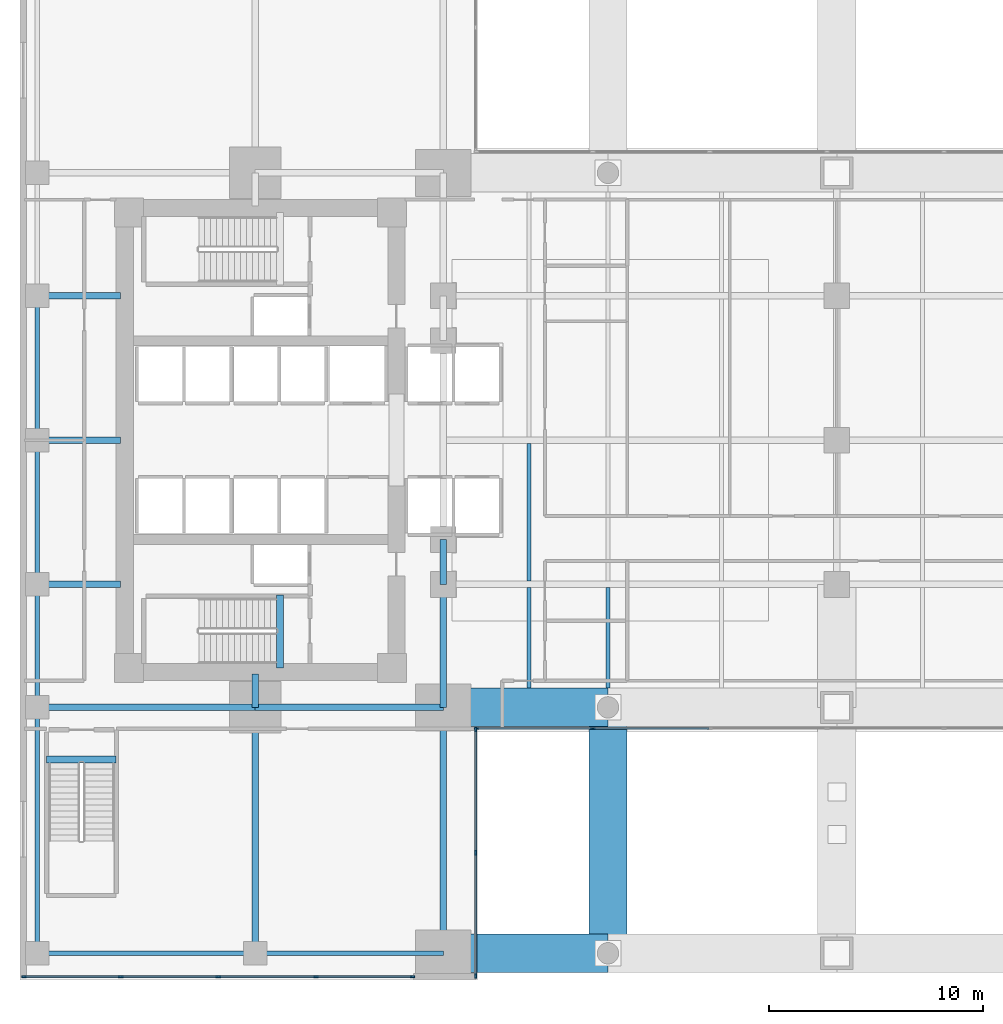
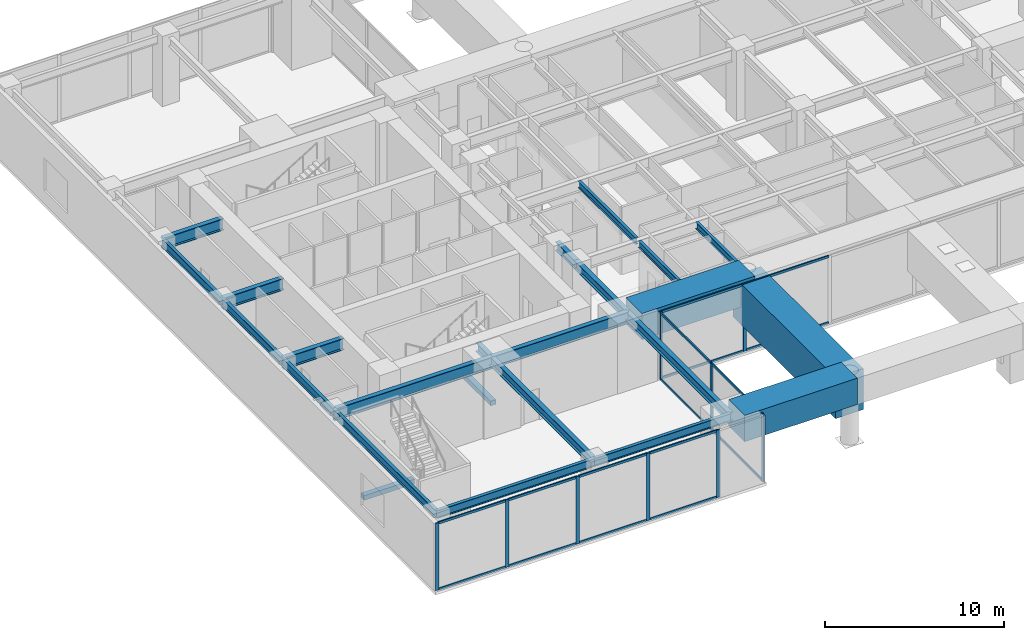
# One storey, part 2 of 13: 26 members, 24 beams, 3 elements without a shape of their own.
"""IFC4 building model written with IfcOpenShell, lengths in metres."""

from ifc_helpers import new_model, si_unit, direction, frame, origin, origin_2d, place, context, subcontext, project, spatial, rectangle, i_section, extrude, material, layer, layer_set, material_profile, profile_set, type_object, element, aggregate, save


model = new_model("IFC4")

# Units and contexts
model_context = context("Model", 3, precision=1e-05, world=origin(), true_north=direction((0.0, 1.0)))
body_context = subcontext(model_context, "Body", "Model", "MODEL_VIEW")
ifc_project = project(units=[si_unit("LENGTHUNIT", "METRE"), si_unit("AREAUNIT", "SQUARE_METRE"), si_unit("VOLUMEUNIT", "CUBIC_METRE"), si_unit("PLANEANGLEUNIT", "RADIAN"), si_unit("MASSUNIT", "GRAM", prefix="KILO")], contexts=[model_context])

# Site, building, storey
site_placement = place(None, origin())
site = spatial("IfcSite", under=ifc_project, at=site_placement, CompositionType="ELEMENT")
building_placement = place(site_placement, origin())
building = spatial("IfcBuilding", under=site, at=building_placement, Name="Kinhvarn Gate Tower", CompositionType="ELEMENT")
storey_placement = place(building_placement, frame((0.0, 0.0, 15.60009765625)))
storey = spatial("IfcBuildingStorey", under=building, at=storey_placement, Name="L03", CompositionType="ELEMENT", Elevation=15.60009765625)

# Beams
ifc_material_1 = material(Name="Concrete C50/60", Category="concrete")
ifc_material_profile_1 = material_profile(ifc_material_1, rectangle(XDim=0.340087890625, YDim=0.320068359375, at=origin_2d()), Name="RC 340x320")
ifc_profile_set_1 = profile_set([ifc_material_profile_1], Name="Concrete C50/60")
beam_type_1 = type_object("IfcBeamType", Name="BM-LND-500", PredefinedType="BEAM", material=ifc_profile_set_1)
beam_1_placement = place(storey_placement, frame((12.1650390625, 14.60009765625, -0.16015625), z_axis=(0.0, 1.0, 0.0), x_axis=(-1.0, 0.0, 0.0)))
element("IfcBeam", 1, at=beam_1_placement, inside=storey, type_object=beam_type_1, Name="Stair ST1 Landing Nosing Beam (L03)", PredefinedType="BEAM", context=body_context, shape_type="SweptSolid", body=[
    extrude(rectangle(XDim=0.340087890625, YDim=0.320068359375, at=origin_2d()), origin(), (0.0, 0.0, 1.0), 3.39990234375),
])
beam_2_placement = place(storey_placement, frame((1.25, 10.31494140625, -0.16015625), z_axis=(1.0, 0.0, 0.0), x_axis=(0.0, 1.0, 0.0)))
element("IfcBeam", 2, at=beam_2_placement, inside=storey, type_object=beam_type_1, Name="Stair ST3 Landing Nosing Beam (L03)", PredefinedType="BEAM", context=body_context, shape_type="SweptSolid", body=[
    extrude(rectangle(XDim=0.340087890625, YDim=0.320068359375, at=origin_2d()), origin(), (0.0, 0.0, 1.0), 3.25),
])
ifc_material_2 = material(Name="Concrete C70/85", Category="concrete")
ifc_material_profile_2 = material_profile(ifc_material_2, rectangle(XDim=1.800048828125, YDim=1.800048828125, at=origin_2d()), Name="RC 1800x1800")
ifc_profile_set_2 = profile_set([ifc_material_profile_2], Name="Concrete C70/85")
beam_type_2 = type_object("IfcBeamType", Name="BM-TG-1800SQ", PredefinedType="BEAM", material=ifc_profile_set_2)
for number, where, z_axis, x_axis, name in (
    (3, (20.199951171875, 1.25, 3.89990234375), (1.0, 0.0, 0.0), (0.0, 1.0, 0.0), "Arch Box Transfer Girder TG-01B-1-1"),
    (4, (20.199951171875, 12.75, 3.89990234375), (1.0, 0.0, 0.0), (0.0, 1.0, 0.0), "Arch Box Transfer Girder TG-01B-2-1"),
):
    element("IfcBeam", number, at=place(storey_placement, frame(where, z_axis=z_axis, x_axis=x_axis)), inside=storey, type_object=beam_type_2, Name=name, PredefinedType="BEAM", context=body_context, shape_type="SweptSolid", body=[
        extrude(rectangle(XDim=1.800048828125, YDim=1.800048828125, at=origin_2d()), origin(), (0.0, 0.0, 1.0), 7.300048828125),
    ])
ifc_material_profile_3 = material_profile(ifc_material_2, rectangle(XDim=1.800048828125, YDim=2.800048828125, at=origin_2d()), Name="RC 1800x2800")
ifc_profile_set_3 = profile_set([ifc_material_profile_3], Name="Concrete C70/85")
beam_type_3 = type_object("IfcBeamType", Name="BM-TG-2800", PredefinedType="BEAM", material=ifc_profile_set_3)
beam_3_placement = place(storey_placement, frame((27.5, 1.25, 3.199951171875), z_axis=(0.0, 1.0, 0.0), x_axis=(-1.0, 0.0, 0.0)))
element("IfcBeam", 5, at=beam_3_placement, inside=storey, type_object=beam_type_3, Name="Primary Transverse Arch Transfer Girder TG-01-X27-1", PredefinedType="BEAM", context=body_context, shape_type="SweptSolid", body=[
    extrude(rectangle(XDim=1.800048828125, YDim=2.800048828125, at=origin_2d()), origin(), (0.0, 0.0, 1.0), 11.5),
])

# Curtain wall, members
ifc_material_3 = material(Name="Anodised aluminium AW-6063", Category="aluminium")
ifc_layer = layer(ifc_material_3, 0.219970703125)
ifc_layer_set = layer_set([ifc_layer], Name="Anodised aluminium AW-6063")
curtain_wall_type = type_object("IfcCurtainWallType", Name="CW-SYS-1", PredefinedType="NOTDEFINED", material=ifc_layer_set)
curtain_wall_1_placement = place(storey_placement, origin())
curtain_wall_1 = element("IfcCurtainWall", 6, at=curtain_wall_1_placement, inside=storey, type_object=curtain_wall_type, Name="Curtain Wall CW1 (L03)", PredefinedType="NOTDEFINED")
ifc_material_profile_4 = material_profile(ifc_material_3, rectangle(XDim=0.080078125, YDim=0.219970703125, at=origin_2d()), Name="ALU 80x220")
ifc_profile_set_4 = profile_set([ifc_material_profile_4], Name="Anodised aluminium AW-6063")
member_type_1 = type_object("IfcMemberType", Name="CW-MUL-220", PredefinedType="MULLION", material=ifc_profile_set_4)
member_1_placement = place(storey_placement, frame((0.18994140625, 0.14990234375, 0.0), z_axis=(0.0, 0.0, 1.0), x_axis=(0.0, 1.0, 0.0)))
member_1 = element("IfcMember", 7, at=member_1_placement, type_object=member_type_1, Name="CW1 mullion 1", PredefinedType="MULLION", context=body_context, shape_type="SweptSolid", body=[
    extrude(rectangle(XDim=0.080078125, YDim=0.219970703125, at=origin_2d()), origin(), (0.0, 0.0, 1.0), 4.599853515625),
])
member_2_placement = place(storey_placement, frame((4.71240234375, 0.14990234375, 0.0), z_axis=(0.0, 0.0, 1.0), x_axis=(0.0, 1.0, 0.0)))
member_2 = element("IfcMember", 8, at=member_2_placement, type_object=member_type_1, Name="CW1 mullion 2", PredefinedType="MULLION", context=body_context, shape_type="SweptSolid", body=[
    extrude(rectangle(XDim=0.080078125, YDim=0.219970703125, at=origin_2d()), origin(), (0.0, 0.0, 1.0), 4.599853515625),
])
member_3_placement = place(storey_placement, frame((9.27490234375, 0.14990234375, 0.0), z_axis=(0.0, 0.0, 1.0), x_axis=(0.0, 1.0, 0.0)))
member_3 = element("IfcMember", 9, at=member_3_placement, type_object=member_type_1, Name="CW1 mullion 3", PredefinedType="MULLION", context=body_context, shape_type="SweptSolid", body=[
    extrude(rectangle(XDim=0.080078125, YDim=0.219970703125, at=origin_2d()), origin(), (0.0, 0.0, 1.0), 4.599853515625),
])
member_4_placement = place(storey_placement, frame((13.83740234375, 0.14990234375, 0.0), z_axis=(0.0, 0.0, 1.0), x_axis=(0.0, 1.0, 0.0)))
member_4 = element("IfcMember", 10, at=member_4_placement, type_object=member_type_1, Name="CW1 mullion 4", PredefinedType="MULLION", context=body_context, shape_type="SweptSolid", body=[
    extrude(rectangle(XDim=0.080078125, YDim=0.219970703125, at=origin_2d()), origin(), (0.0, 0.0, 1.0), 4.599853515625),
])
member_5_placement = place(storey_placement, frame((18.360107421875, 0.14990234375, 0.0), z_axis=(0.0, 0.0, 1.0), x_axis=(0.0, 1.0, 0.0)))
member_5 = element("IfcMember", 11, at=member_5_placement, type_object=member_type_1, Name="CW1 mullion 5", PredefinedType="MULLION", context=body_context, shape_type="SweptSolid", body=[
    extrude(rectangle(XDim=0.080078125, YDim=0.219970703125, at=origin_2d()), origin(), (0.0, 0.0, 1.0), 4.599853515625),
])

curtain_wall_2_placement = place(storey_placement, origin())
curtain_wall_2 = element("IfcCurtainWall", 12, at=curtain_wall_2_placement, inside=storey, type_object=curtain_wall_type, Name="Curtain Wall CW1 (L03)", PredefinedType="NOTDEFINED")
member_6_placement = place(storey_placement, frame((21.31005859375, 0.18994140625, 0.0), z_axis=(0.0, 0.0, 1.0), x_axis=(-1.0, 0.0, 0.0)))
member_6 = element("IfcMember", 13, at=member_6_placement, type_object=member_type_1, Name="CW1 mullion 1", PredefinedType="MULLION", context=body_context, shape_type="SweptSolid", body=[
    extrude(rectangle(XDim=0.080078125, YDim=0.219970703125, at=origin_2d()), origin(), (0.0, 0.0, 1.0), 4.599853515625),
])
member_7_placement = place(storey_placement, frame((21.31005859375, 5.955078125, 0.0), z_axis=(0.0, 0.0, 1.0), x_axis=(-1.0, 0.0, 0.0)))
member_7 = element("IfcMember", 14, at=member_7_placement, type_object=member_type_1, Name="CW1 mullion 2", PredefinedType="MULLION", context=body_context, shape_type="SweptSolid", body=[
    extrude(rectangle(XDim=0.080078125, YDim=0.219970703125, at=origin_2d()), origin(), (0.0, 0.0, 1.0), 4.599853515625),
])
member_8_placement = place(storey_placement, frame((21.31005859375, 11.719970703125, 0.0), z_axis=(0.0, 0.0, 1.0), x_axis=(-1.0, 0.0, 0.0)))
member_8 = element("IfcMember", 15, at=member_8_placement, type_object=member_type_1, Name="CW1 mullion 3", PredefinedType="MULLION", context=body_context, shape_type="SweptSolid", body=[
    extrude(rectangle(XDim=0.080078125, YDim=0.219970703125, at=origin_2d()), origin(), (0.0, 0.0, 1.0), 4.599853515625),
])

curtain_wall_3_placement = place(storey_placement, origin())
curtain_wall_3 = element("IfcCurtainWall", 16, at=curtain_wall_3_placement, inside=storey, type_object=curtain_wall_type, Name="Curtain Wall CW1 (L03)", PredefinedType="NOTDEFINED")
member_9_placement = place(storey_placement, frame((21.35009765625, 11.760009765625, 0.0), z_axis=(0.0, 0.0, 1.0), x_axis=(0.0, 1.0, 0.0)))
member_9 = element("IfcMember", 17, at=member_9_placement, type_object=member_type_1, Name="CW1 mullion 1", PredefinedType="MULLION", context=body_context, shape_type="SweptSolid", body=[
    extrude(rectangle(XDim=0.080078125, YDim=0.219970703125, at=origin_2d()), origin(), (0.0, 0.0, 1.0), 4.599853515625),
])
member_10_placement = place(storey_placement, frame((26.785888671875, 11.760009765625, 0.0), z_axis=(0.0, 0.0, 1.0), x_axis=(0.0, 1.0, 0.0)))
member_10 = element("IfcMember", 18, at=member_10_placement, type_object=member_type_1, Name="CW1 mullion 2", PredefinedType="MULLION", context=body_context, shape_type="SweptSolid", body=[
    extrude(rectangle(XDim=0.080078125, YDim=0.219970703125, at=origin_2d()), origin(), (0.0, 0.0, 1.0), 4.599853515625),
])

# Member
ifc_material_profile_5 = material_profile(ifc_material_3, rectangle(XDim=0.080078125, YDim=0.159912109375, at=origin_2d()), Name="ALU 80x160")
ifc_profile_set_5 = profile_set([ifc_material_profile_5], Name="Anodised aluminium AW-6063")
member_type_2 = type_object("IfcMemberType", Name="CW-TRN-160", PredefinedType="USERDEFINED", material=ifc_profile_set_5)
member_11_placement = place(storey_placement, frame((0.22998046875, 0.14990234375, 0.039794921875), z_axis=(1.0, 0.0, 0.0), x_axis=(0.0, 1.0, 0.0)))
member_11 = element("IfcMember", 19, at=member_11_placement, type_object=member_type_2, Name="CW1 transom 1.1", ObjectType="TRANSOM", PredefinedType="USERDEFINED", context=body_context, shape_type="SweptSolid", body=[
    extrude(rectangle(XDim=0.080078125, YDim=0.159912109375, at=origin_2d()), origin(), (0.0, 0.0, 1.0), 4.442626953125),
])

member_12_placement = place(storey_placement, frame((0.22998046875, 0.14990234375, 4.559814453125), z_axis=(1.0, 0.0, 0.0), x_axis=(0.0, 1.0, 0.0)))
member_12 = element("IfcMember", 20, at=member_12_placement, type_object=member_type_2, Name="CW1 transom 1.2", ObjectType="TRANSOM", PredefinedType="USERDEFINED", context=body_context, shape_type="SweptSolid", body=[
    extrude(rectangle(XDim=0.080078125, YDim=0.159912109375, at=origin_2d()), origin(), (0.0, 0.0, 1.0), 4.442626953125),
])

member_13_placement = place(storey_placement, frame((4.75244140625, 0.14990234375, 0.039794921875), z_axis=(1.0, 0.0, 0.0), x_axis=(0.0, 1.0, 0.0)))
member_13 = element("IfcMember", 21, at=member_13_placement, type_object=member_type_2, Name="CW1 transom 2.1", ObjectType="TRANSOM", PredefinedType="USERDEFINED", context=body_context, shape_type="SweptSolid", body=[
    extrude(rectangle(XDim=0.080078125, YDim=0.159912109375, at=origin_2d()), origin(), (0.0, 0.0, 1.0), 4.482666015625),
])

member_14_placement = place(storey_placement, frame((4.75244140625, 0.14990234375, 4.559814453125), z_axis=(1.0, 0.0, 0.0), x_axis=(0.0, 1.0, 0.0)))
member_14 = element("IfcMember", 22, at=member_14_placement, type_object=member_type_2, Name="CW1 transom 2.2", ObjectType="TRANSOM", PredefinedType="USERDEFINED", context=body_context, shape_type="SweptSolid", body=[
    extrude(rectangle(XDim=0.080078125, YDim=0.159912109375, at=origin_2d()), origin(), (0.0, 0.0, 1.0), 4.482666015625),
])

member_15_placement = place(storey_placement, frame((9.31494140625, 0.14990234375, 0.039794921875), z_axis=(1.0, 0.0, 0.0), x_axis=(0.0, 1.0, 0.0)))
member_15 = element("IfcMember", 23, at=member_15_placement, type_object=member_type_2, Name="CW1 transom 3.1", ObjectType="TRANSOM", PredefinedType="USERDEFINED", context=body_context, shape_type="SweptSolid", body=[
    extrude(rectangle(XDim=0.080078125, YDim=0.159912109375, at=origin_2d()), origin(), (0.0, 0.0, 1.0), 4.482666015625),
])

member_16_placement = place(storey_placement, frame((9.31494140625, 0.14990234375, 4.559814453125), z_axis=(1.0, 0.0, 0.0), x_axis=(0.0, 1.0, 0.0)))
member_16 = element("IfcMember", 24, at=member_16_placement, type_object=member_type_2, Name="CW1 transom 3.2", ObjectType="TRANSOM", PredefinedType="USERDEFINED", context=body_context, shape_type="SweptSolid", body=[
    extrude(rectangle(XDim=0.080078125, YDim=0.159912109375, at=origin_2d()), origin(), (0.0, 0.0, 1.0), 4.482666015625),
])

member_17_placement = place(storey_placement, frame((13.87744140625, 0.14990234375, 0.039794921875), z_axis=(1.0, 0.0, 0.0), x_axis=(0.0, 1.0, 0.0)))
member_17 = element("IfcMember", 25, at=member_17_placement, type_object=member_type_2, Name="CW1 transom 4.1", ObjectType="TRANSOM", PredefinedType="USERDEFINED", context=body_context, shape_type="SweptSolid", body=[
    extrude(rectangle(XDim=0.080078125, YDim=0.159912109375, at=origin_2d()), origin(), (0.0, 0.0, 1.0), 4.442626953125),
])

member_18_placement = place(storey_placement, frame((13.87744140625, 0.14990234375, 4.559814453125), z_axis=(1.0, 0.0, 0.0), x_axis=(0.0, 1.0, 0.0)))
member_18 = element("IfcMember", 26, at=member_18_placement, type_object=member_type_2, Name="CW1 transom 4.2", ObjectType="TRANSOM", PredefinedType="USERDEFINED", context=body_context, shape_type="SweptSolid", body=[
    extrude(rectangle(XDim=0.080078125, YDim=0.159912109375, at=origin_2d()), origin(), (0.0, 0.0, 1.0), 4.442626953125),
])

aggregate(curtain_wall_1, [member_1, member_2, member_3, member_4, member_5, member_11, member_12, member_13, member_14, member_15, member_16, member_17, member_18])

member_19_placement = place(storey_placement, frame((21.31005859375, 0.22998046875, 0.039794921875), z_axis=(0.0, 1.0, 0.0), x_axis=(-1.0, 0.0, 0.0)))
member_19 = element("IfcMember", 27, at=member_19_placement, type_object=member_type_2, Name="CW1 transom 1.1", ObjectType="TRANSOM", PredefinedType="USERDEFINED", context=body_context, shape_type="SweptSolid", body=[
    extrude(rectangle(XDim=0.080078125, YDim=0.159912109375, at=origin_2d()), origin(), (0.0, 0.0, 1.0), 5.68505859375),
])

member_20_placement = place(storey_placement, frame((21.31005859375, 0.22998046875, 4.559814453125), z_axis=(0.0, 1.0, 0.0), x_axis=(-1.0, 0.0, 0.0)))
member_20 = element("IfcMember", 28, at=member_20_placement, type_object=member_type_2, Name="CW1 transom 1.2", ObjectType="TRANSOM", PredefinedType="USERDEFINED", context=body_context, shape_type="SweptSolid", body=[
    extrude(rectangle(XDim=0.080078125, YDim=0.159912109375, at=origin_2d()), origin(), (0.0, 0.0, 1.0), 5.68505859375),
])

member_21_placement = place(storey_placement, frame((21.31005859375, 5.9951171875, 0.039794921875), z_axis=(0.0, 1.0, 0.0), x_axis=(-1.0, 0.0, 0.0)))
member_21 = element("IfcMember", 29, at=member_21_placement, type_object=member_type_2, Name="CW1 transom 2.1", ObjectType="TRANSOM", PredefinedType="USERDEFINED", context=body_context, shape_type="SweptSolid", body=[
    extrude(rectangle(XDim=0.080078125, YDim=0.159912109375, at=origin_2d()), origin(), (0.0, 0.0, 1.0), 5.684814453125),
])

member_22_placement = place(storey_placement, frame((21.31005859375, 5.9951171875, 4.559814453125), z_axis=(0.0, 1.0, 0.0), x_axis=(-1.0, 0.0, 0.0)))
member_22 = element("IfcMember", 30, at=member_22_placement, type_object=member_type_2, Name="CW1 transom 2.2", ObjectType="TRANSOM", PredefinedType="USERDEFINED", context=body_context, shape_type="SweptSolid", body=[
    extrude(rectangle(XDim=0.080078125, YDim=0.159912109375, at=origin_2d()), origin(), (0.0, 0.0, 1.0), 5.684814453125),
])

aggregate(curtain_wall_2, [member_6, member_7, member_8, member_19, member_20, member_21, member_22])

member_23_placement = place(storey_placement, frame((21.389892578125, 11.760009765625, 0.039794921875), z_axis=(1.0, 0.0, 0.0), x_axis=(0.0, 1.0, 0.0)))
member_23 = element("IfcMember", 31, at=member_23_placement, type_object=member_type_2, Name="CW1 transom 1.1", ObjectType="TRANSOM", PredefinedType="USERDEFINED", context=body_context, shape_type="SweptSolid", body=[
    extrude(rectangle(XDim=0.080078125, YDim=0.159912109375, at=origin_2d()), origin(), (0.0, 0.0, 1.0), 5.356201171875),
])

member_24_placement = place(storey_placement, frame((21.389892578125, 11.760009765625, 4.559814453125), z_axis=(1.0, 0.0, 0.0), x_axis=(0.0, 1.0, 0.0)))
member_24 = element("IfcMember", 32, at=member_24_placement, type_object=member_type_2, Name="CW1 transom 1.2", ObjectType="TRANSOM", PredefinedType="USERDEFINED", context=body_context, shape_type="SweptSolid", body=[
    extrude(rectangle(XDim=0.080078125, YDim=0.159912109375, at=origin_2d()), origin(), (0.0, 0.0, 1.0), 5.356201171875),
])

member_25_placement = place(storey_placement, frame((26.825927734375, 11.760009765625, 0.039794921875), z_axis=(1.0, 0.0, 0.0), x_axis=(0.0, 1.0, 0.0)))
member_25 = element("IfcMember", 33, at=member_25_placement, type_object=member_type_2, Name="CW1 transom 2.1", ObjectType="TRANSOM", PredefinedType="USERDEFINED", context=body_context, shape_type="SweptSolid", body=[
    extrude(rectangle(XDim=0.080078125, YDim=0.159912109375, at=origin_2d()), origin(), (0.0, 0.0, 1.0), 5.39599609375),
])

member_26_placement = place(storey_placement, frame((26.825927734375, 11.760009765625, 4.559814453125), z_axis=(1.0, 0.0, 0.0), x_axis=(0.0, 1.0, 0.0)))
member_26 = element("IfcMember", 34, at=member_26_placement, type_object=member_type_2, Name="CW1 transom 2.2", ObjectType="TRANSOM", PredefinedType="USERDEFINED", context=body_context, shape_type="SweptSolid", body=[
    extrude(rectangle(XDim=0.080078125, YDim=0.159912109375, at=origin_2d()), origin(), (0.0, 0.0, 1.0), 5.39599609375),
])

aggregate(curtain_wall_3, [member_9, member_10, member_23, member_24, member_25, member_26])

# Beams
ifc_material_4 = material(Name="Steel S355", Category="steel")
ifc_material_profile_6 = material_profile(ifc_material_4, i_section(OverallWidth=0.300048828125, OverallDepth=0.60009765625, WebThickness=0.015380859375, FlangeThickness=0.030029296875, at=origin_2d()), Name="HEB 600")
ifc_profile_set_6 = profile_set([ifc_material_profile_6], Name="Steel S355")
beam_type_4 = type_object("IfcBeamType", Name="STL-HEB600", PredefinedType="BEAM", material=ifc_profile_set_6)
beam_4_placement = place(storey_placement, frame((11.0, 1.25, 4.2998046875), z_axis=(0.0, 1.0, 0.0), x_axis=(-1.0, 0.0, 0.0)))
element("IfcBeam", 35, at=beam_4_placement, inside=storey, type_object=beam_type_4, Name="Floor Beam PG-16 (L03 NS11-S)", PredefinedType="BEAM", context=body_context, shape_type="SweptSolid", body=[
    extrude(i_section(OverallWidth=0.300048828125, OverallDepth=0.60009765625, WebThickness=0.015380859375, FlangeThickness=0.030029296875, at=origin_2d()), origin(), (0.0, 0.0, 1.0), 11.5),
])
beam_5_placement = place(storey_placement, frame((11.0, 12.75, 4.2998046875), z_axis=(0.0, 1.0, 0.0), x_axis=(-1.0, 0.0, 0.0)))
element("IfcBeam", 36, at=beam_5_placement, inside=storey, type_object=beam_type_4, Name="Floor Beam PG-16 (L03 NS11-CS)", PredefinedType="BEAM", context=body_context, shape_type="SweptSolid", body=[
    extrude(i_section(OverallWidth=0.300048828125, OverallDepth=0.60009765625, WebThickness=0.015380859375, FlangeThickness=0.030029296875, at=origin_2d()), origin(), (0.0, 0.0, 1.0), 1.550048828125),
])
beam_6_placement = place(storey_placement, frame((19.800048828125, 1.25, 4.2998046875), z_axis=(0.0, 1.0, 0.0), x_axis=(-1.0, 0.0, 0.0)))
element("IfcBeam", 37, at=beam_6_placement, inside=storey, type_object=beam_type_4, Name="Floor Beam PG-16 (L03 APW-1)", PredefinedType="BEAM", context=body_context, shape_type="SweptSolid", body=[
    extrude(i_section(OverallWidth=0.300048828125, OverallDepth=0.60009765625, WebThickness=0.015380859375, FlangeThickness=0.030029296875, at=origin_2d()), origin(), (0.0, 0.0, 1.0), 11.5),
])
beam_7_placement = place(storey_placement, frame((19.800048828125, 12.75, 4.2998046875), z_axis=(0.0, 1.0, 0.0), x_axis=(-1.0, 0.0, 0.0)))
element("IfcBeam", 38, at=beam_7_placement, inside=storey, type_object=beam_type_4, Name="Floor Beam PG-16 (L03 APW-2)", PredefinedType="BEAM", context=body_context, shape_type="SweptSolid", body=[
    extrude(i_section(OverallWidth=0.300048828125, OverallDepth=0.60009765625, WebThickness=0.015380859375, FlangeThickness=0.030029296875, at=origin_2d()), origin(), (0.0, 0.0, 1.0), 5.75),
])
beam_8_placement = place(storey_placement, frame((19.800048828125, 18.5, 4.2998046875), z_axis=(0.0, 1.0, 0.0), x_axis=(-1.0, 0.0, 0.0)))
element("IfcBeam", 39, at=beam_8_placement, inside=storey, type_object=beam_type_4, Name="Floor Beam PG-16 (L03 APW-3)", PredefinedType="BEAM", context=body_context, shape_type="SweptSolid", body=[
    extrude(i_section(OverallWidth=0.300048828125, OverallDepth=0.60009765625, WebThickness=0.015380859375, FlangeThickness=0.030029296875, at=origin_2d()), origin(), (0.0, 0.0, 1.0), 2.10009765625),
])
ifc_material_profile_7 = material_profile(ifc_material_4, i_section(OverallWidth=0.300048828125, OverallDepth=0.800048828125, WebThickness=0.017578125, FlangeThickness=0.032958984375, at=origin_2d()), Name="HEB 800")
ifc_profile_set_7 = profile_set([ifc_material_profile_7], Name="Steel S355")
beam_type_5 = type_object("IfcBeamType", Name="STL-HEB800", PredefinedType="BEAM", material=ifc_profile_set_7)
beam_9_placement = place(storey_placement, frame((0.800048828125, 12.75, 4.199951171875), z_axis=(1.0, 0.0, 0.0), x_axis=(0.0, 1.0, 0.0)))
element("IfcBeam", 40, at=beam_9_placement, inside=storey, type_object=beam_type_5, Name="Floor Beam PG-19 (L03 SPS-1)", PredefinedType="BEAM", context=body_context, shape_type="SweptSolid", body=[
    extrude(i_section(OverallWidth=0.300048828125, OverallDepth=0.800048828125, WebThickness=0.017578125, FlangeThickness=0.032958984375, at=origin_2d()), origin(), (0.0, 0.0, 1.0), 10.199951171875),
])
beam_10_placement = place(storey_placement, frame((11.0, 12.75, 4.199951171875), z_axis=(1.0, 0.0, 0.0), x_axis=(0.0, 1.0, 0.0)))
element("IfcBeam", 41, at=beam_10_placement, inside=storey, type_object=beam_type_5, Name="Floor Beam PG-19 (L03 SPS-2)", PredefinedType="BEAM", context=body_context, shape_type="SweptSolid", body=[
    extrude(i_section(OverallWidth=0.300048828125, OverallDepth=0.800048828125, WebThickness=0.017578125, FlangeThickness=0.032958984375, at=origin_2d()), origin(), (0.0, 0.0, 1.0), 8.800048828125),
])
for number, where, z_axis, x_axis, name in (
    (42, (0.800048828125, 18.5, 4.199951171875), (1.0, 0.0, 0.0), (0.0, 1.0, 0.0), "Floor Beam PG-19 (L03 W-MID-18)"),
    (43, (0.800048828125, 25.25, 4.199951171875), (1.0, 0.0, 0.0), (0.0, 1.0, 0.0), "Floor Beam PG-19 (L03 W-MID-25)"),
    (44, (0.800048828125, 32.0, 4.199951171875), (1.0, 0.0, 0.0), (0.0, 1.0, 0.0), "Floor Beam PG-19 (L03 W-MID-32)"),
):
    element("IfcBeam", number, at=place(storey_placement, frame(where, z_axis=z_axis, x_axis=x_axis)), inside=storey, type_object=beam_type_5, Name=name, PredefinedType="BEAM", context=body_context, shape_type="SweptSolid", body=[
        extrude(i_section(OverallWidth=0.300048828125, OverallDepth=0.800048828125, WebThickness=0.017578125, FlangeThickness=0.032958984375, at=origin_2d()), origin(), (0.0, 0.0, 1.0), 3.89990234375),
    ])
ifc_material_profile_8 = material_profile(ifc_material_4, i_section(OverallWidth=0.18994140625, OverallDepth=0.449951171875, WebThickness=0.009521484375, FlangeThickness=0.0146484375, at=origin_2d()), Name="IPE 450")
ifc_profile_set_8 = profile_set([ifc_material_profile_8], Name="Steel S355")
beam_type_6 = type_object("IfcBeamType", Name="STL-IPE450", PredefinedType="JOIST", material=ifc_profile_set_8)
for number, where, z_axis, x_axis, name in (
    (45, (23.800048828125, 13.64990234375, 4.375), (0.0, 1.0, 0.0), (-1.0, 0.0, 0.0), "Floor Joist SB-06 (L03 POD-J238-12)"),
    (46, (27.5, 13.64990234375, 4.375), (0.0, 1.0, 0.0), (-1.0, 0.0, 0.0), "Floor Joist SB-06 (L03 POD-J275-12)"),
):
    element("IfcBeam", number, at=place(storey_placement, frame(where, z_axis=z_axis, x_axis=x_axis)), inside=storey, type_object=beam_type_6, Name=name, PredefinedType="JOIST", context=body_context, shape_type="SweptSolid", body=[
        extrude(i_section(OverallWidth=0.18994140625, OverallDepth=0.449951171875, WebThickness=0.009521484375, FlangeThickness=0.0146484375, at=origin_2d()), origin(), (0.0, 0.0, 1.0), 4.7001953125),
    ])
beam_11_placement = place(storey_placement, frame((23.800048828125, 18.64990234375, 4.375), z_axis=(0.0, 1.0, 0.0), x_axis=(-1.0, 0.0, 0.0)))
element("IfcBeam", 47, at=beam_11_placement, inside=storey, type_object=beam_type_6, Name="Floor Joist SB-06 (L03 POD-J238-18)", PredefinedType="JOIST", context=body_context, shape_type="SweptSolid", body=[
    extrude(i_section(OverallWidth=0.18994140625, OverallDepth=0.449951171875, WebThickness=0.009521484375, FlangeThickness=0.0146484375, at=origin_2d()), origin(), (0.0, 0.0, 1.0), 6.4501953125),
])
ifc_material_profile_9 = material_profile(ifc_material_4, i_section(OverallWidth=0.2099609375, OverallDepth=0.550048828125, WebThickness=0.010986328125, FlangeThickness=0.01708984375, at=origin_2d()), Name="IPE 550")
ifc_profile_set_9 = profile_set([ifc_material_profile_9], Name="Steel S355")
beam_type_7 = type_object("IfcBeamType", Name="STL-IPE550", PredefinedType="SPANDREL", material=ifc_profile_set_9)
beam_12_placement = place(storey_placement, frame((0.800048828125, 1.25, 4.324951171875), z_axis=(0.0, 1.0, 0.0), x_axis=(-1.0, 0.0, 0.0)))
element("IfcBeam", 48, at=beam_12_placement, inside=storey, type_object=beam_type_7, Name="Floor Spandrel SB-08 (L03 PERW-1)", PredefinedType="SPANDREL", context=body_context, shape_type="SweptSolid", body=[
    extrude(i_section(OverallWidth=0.2099609375, OverallDepth=0.550048828125, WebThickness=0.010986328125, FlangeThickness=0.01708984375, at=origin_2d()), origin(), (0.0, 0.0, 1.0), 11.5),
])
beam_13_placement = place(storey_placement, frame((0.800048828125, 12.75, 4.324951171875), z_axis=(0.0, 1.0, 0.0), x_axis=(-1.0, 0.0, 0.0)))
element("IfcBeam", 49, at=beam_13_placement, inside=storey, type_object=beam_type_7, Name="Floor Spandrel SB-08 (L03 PERW-2)", PredefinedType="SPANDREL", context=body_context, shape_type="SweptSolid", body=[
    extrude(i_section(OverallWidth=0.2099609375, OverallDepth=0.550048828125, WebThickness=0.010986328125, FlangeThickness=0.01708984375, at=origin_2d()), origin(), (0.0, 0.0, 1.0), 5.75),
])
for number, where, z_axis, x_axis, name in (
    (50, (0.800048828125, 18.5, 4.324951171875), (0.0, 1.0, 0.0), (-1.0, 0.0, 0.0), "Floor Spandrel SB-08 (L03 PERW-3)"),
    (51, (0.800048828125, 25.25, 4.324951171875), (0.0, 1.0, 0.0), (-1.0, 0.0, 0.0), "Floor Spandrel SB-08 (L03 PERW-4)"),
):
    element("IfcBeam", number, at=place(storey_placement, frame(where, z_axis=z_axis, x_axis=x_axis)), inside=storey, type_object=beam_type_7, Name=name, PredefinedType="SPANDREL", context=body_context, shape_type="SweptSolid", body=[
        extrude(i_section(OverallWidth=0.2099609375, OverallDepth=0.550048828125, WebThickness=0.010986328125, FlangeThickness=0.01708984375, at=origin_2d()), origin(), (0.0, 0.0, 1.0), 6.75),
    ])
beam_14_placement = place(storey_placement, frame((0.800048828125, 1.25, 4.324951171875), z_axis=(1.0, 0.0, 0.0), x_axis=(0.0, 1.0, 0.0)))
element("IfcBeam", 52, at=beam_14_placement, inside=storey, type_object=beam_type_7, Name="Floor Spandrel SB-08 (L03 SP-POD-SW1)", PredefinedType="SPANDREL", context=body_context, shape_type="SweptSolid", body=[
    extrude(i_section(OverallWidth=0.2099609375, OverallDepth=0.550048828125, WebThickness=0.010986328125, FlangeThickness=0.01708984375, at=origin_2d()), origin(), (0.0, 0.0, 1.0), 10.199951171875),
])
beam_15_placement = place(storey_placement, frame((11.0, 1.25, 4.324951171875), z_axis=(1.0, 0.0, 0.0), x_axis=(0.0, 1.0, 0.0)))
element("IfcBeam", 53, at=beam_15_placement, inside=storey, type_object=beam_type_7, Name="Floor Spandrel SB-08 (L03 SP-POD-SW2)", PredefinedType="SPANDREL", context=body_context, shape_type="SweptSolid", body=[
    extrude(i_section(OverallWidth=0.2099609375, OverallDepth=0.550048828125, WebThickness=0.010986328125, FlangeThickness=0.01708984375, at=origin_2d()), origin(), (0.0, 0.0, 1.0), 8.800048828125),
])

save(model, "model.ifc")
